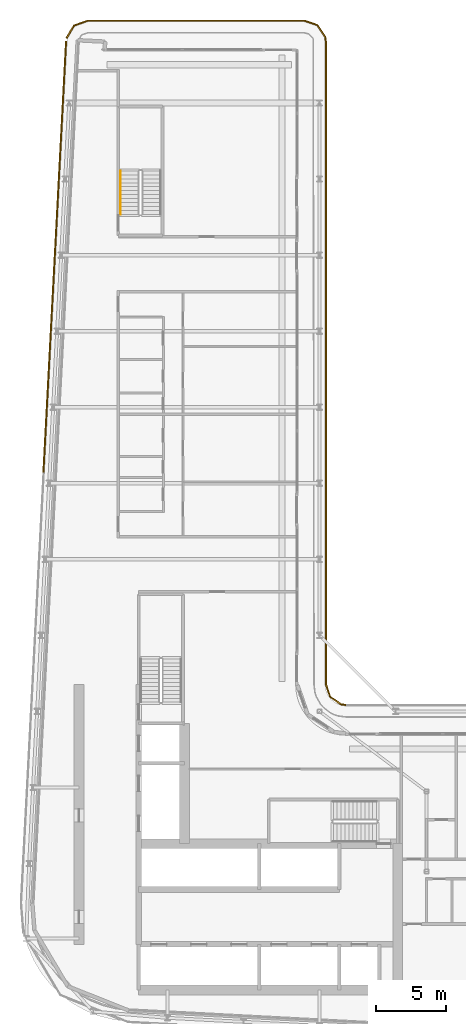
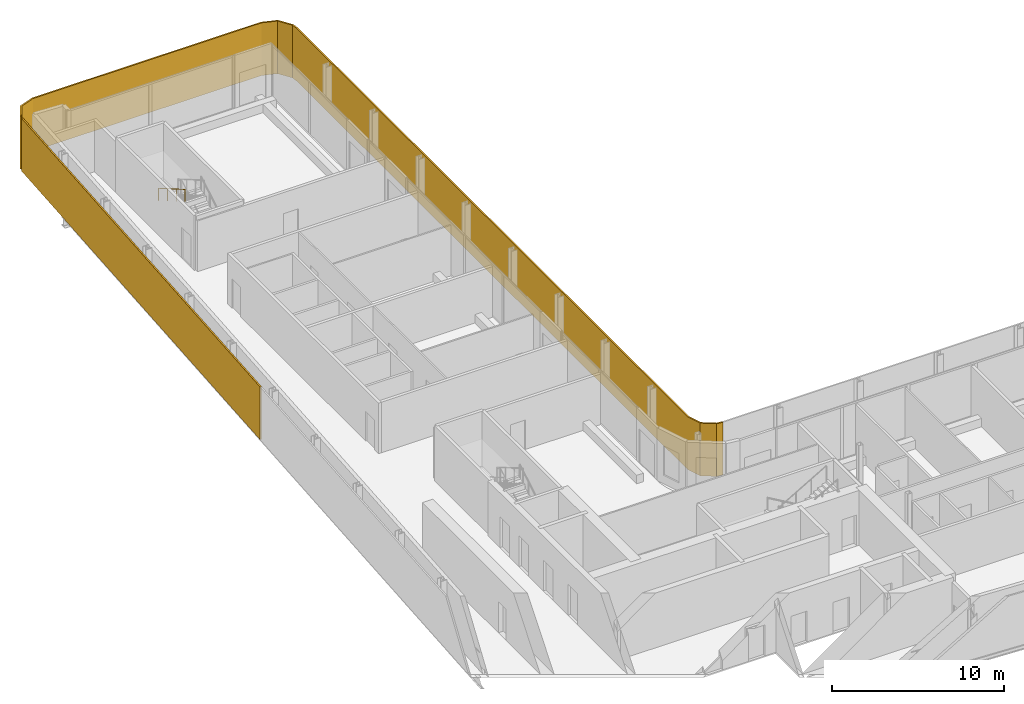
# One storey, part 19 of 21: 2 shading devices, 1 railing.
"""IFC4 building model written with IfcOpenShell, lengths in metres."""

from ifc_helpers import new_model, si_unit, direction, frame, origin, origin_2d, place, context, subcontext, project, spatial, polyline, rectangle, circle, outline, extrude, material, layer, layer_set, type_object, element, save


model = new_model("IFC4")

# Units and contexts
model_context = context("Model", 3, precision=1e-05, world=origin(), true_north=direction((0.0, 1.0)))
body_context = subcontext(model_context, "Body", "Model", "MODEL_VIEW")
ifc_project = project(units=[si_unit("LENGTHUNIT", "METRE"), si_unit("AREAUNIT", "SQUARE_METRE"), si_unit("VOLUMEUNIT", "CUBIC_METRE"), si_unit("PLANEANGLEUNIT", "RADIAN"), si_unit("MASSUNIT", "GRAM", prefix="KILO")], contexts=[model_context])

# Site, building, storey
site_placement = place(None, origin())
site = spatial("IfcSite", under=ifc_project, at=site_placement, CompositionType="ELEMENT")
building_placement = place(site_placement, origin())
building = spatial("IfcBuilding", under=site, at=building_placement, Name="Kheshtan School and Residences Tower", CompositionType="ELEMENT")
storey_placement = place(building_placement, frame((0.0, 0.0, 235.699951171875)))
storey = spatial("IfcBuildingStorey", under=building, at=storey_placement, Name="L55", CompositionType="ELEMENT", Elevation=235.699951171875)

# Shading devices
ifc_material_1 = material(Name="Terracotta baguette, extruded ceramic", Category="masonry")
ifc_layer_1 = layer(ifc_material_1, 0.10009765625)
ifc_layer_set_1 = layer_set([ifc_layer_1], Name="Ledge screen, terracotta baguettes")
shading_device_type_1 = type_object("IfcShadingDeviceType", Name="Ledge screen, terracotta baguettes", PredefinedType="USERDEFINED", material=ifc_layer_set_1)
shading_device_1_placement = place(storey_placement, frame((28.785888671875, 77.884033203125, 0.0), z_axis=(0.0, 0.0, 1.0), x_axis=(0.052562536748, 0.998617634398, 0.0)))
element("IfcShadingDevice", 1, at=shading_device_1_placement, inside=storey, type_object=shading_device_type_1, Name="Screen L55 5", ObjectType="BAGUETTE", PredefinedType="USERDEFINED", context=body_context, shape_type="SweptSolid", body=[
    extrude(rectangle(XDim=30.636962890625, YDim=0.10009765625, at=origin_2d()), origin(), (0.0, 0.0, 1.0), 3.75),
])
ifc_material_2 = material(Name="Terracotta lattice, extruded ceramic", Category="masonry")
ifc_layer_2 = layer(ifc_material_2, 0.10009765625)
ifc_layer_set_2 = layer_set([ifc_layer_2], Name="Loggia screen, terracotta lattice")
shading_device_type_2 = type_object("IfcShadingDeviceType", Name="Loggia screen, terracotta lattice", PredefinedType="USERDEFINED", material=ifc_layer_set_2)
shading_device_2_placement = place(storey_placement, origin())
element("IfcShadingDevice", 2, at=shading_device_2_placement, inside=storey, type_object=shading_device_type_2, Name="Screen L55 1", ObjectType="SCREEN", PredefinedType="USERDEFINED", context=body_context, shape_type="SweptSolid", body=[
    extrude(outline(polyline([(29.666015625, 93.384033203125), (30.18408203125, 94.257080078125), (31.138916015625, 94.60009765625), (46.5, 94.60009765625), (47.4130859375, 94.2900390625), (47.948974609375, 93.488037109375), (48.0, 93.10009765625), (48.0, 47.5), (48.31005859375, 46.5869140625), (49.112060546875, 46.051025390625), (49.5, 46.0), (49.512939453125, 46.09912109375), (49.14794921875, 46.14697265625), (48.39404296875, 46.65087890625), (48.10009765625, 47.51708984375), (48.10009765625, 93.10693359375), (48.044921875, 93.52392578125), (47.47705078125, 94.3740234375), (46.51708984375, 94.699951171875), (31.1220703125, 94.699951171875), (30.115966796875, 94.339111328125), (29.580078125, 93.43505859375), (29.666015625, 93.384033203125)])), origin(), (0.0, 0.0, 1.0), 3.75),
])

# Railing
ifc_material_3 = material(Name="Stainless steel handrail", Category="steel")
railing_type = type_object("IfcRailingType", Name="Stair handrail 900", PredefinedType="HANDRAIL", material=ifc_material_3)
railing_placement = place(storey_placement, frame((33.449951171875, 83.97998046875, 2.112548828125)))
element("IfcRailing", 3, at=railing_placement, inside=storey, type_object=railing_type, Name="L55 ST3 stair handrail 2", PredefinedType="HANDRAIL", context=body_context, shape_type="SweptSolid", body=[
    extrude(circle(Radius=0.02392578125, at=origin_2d()), frame((0.0, 0.0, 0.8759765625), z_axis=(0.0, -0.864890721111, 0.501960198159), x_axis=(1.0, 0.0, 0.0)), (0.0, 0.0, 1.0), 3.561279296875),
    extrude(circle(Radius=0.02099609375, at=origin_2d()), origin(), (0.0, 0.0, 1.0), 0.851806640625),
    extrude(circle(Radius=0.02099609375, at=origin_2d()), frame((0.0, -1.026611328125, 0.595947265625)), (0.0, 0.0, 1.0), 0.851806640625),
    extrude(circle(Radius=0.02099609375, at=origin_2d()), frame((0.0, -2.053466796875, 1.191650390625)), (0.0, 0.0, 1.0), 0.851806640625),
    extrude(circle(Radius=0.02099609375, at=origin_2d()), frame((0.0, -3.080078125, 1.78759765625)), (0.0, 0.0, 1.0), 0.851806640625),
])

save(model, "model.ifc")
